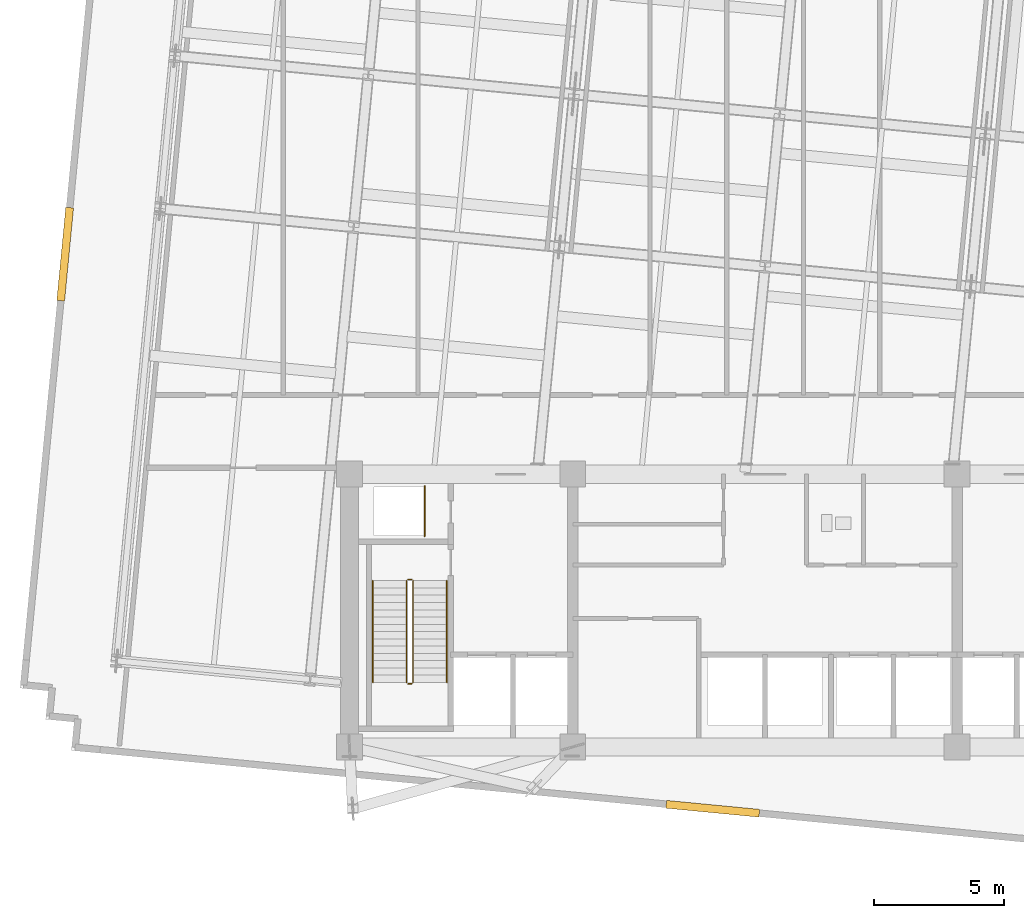
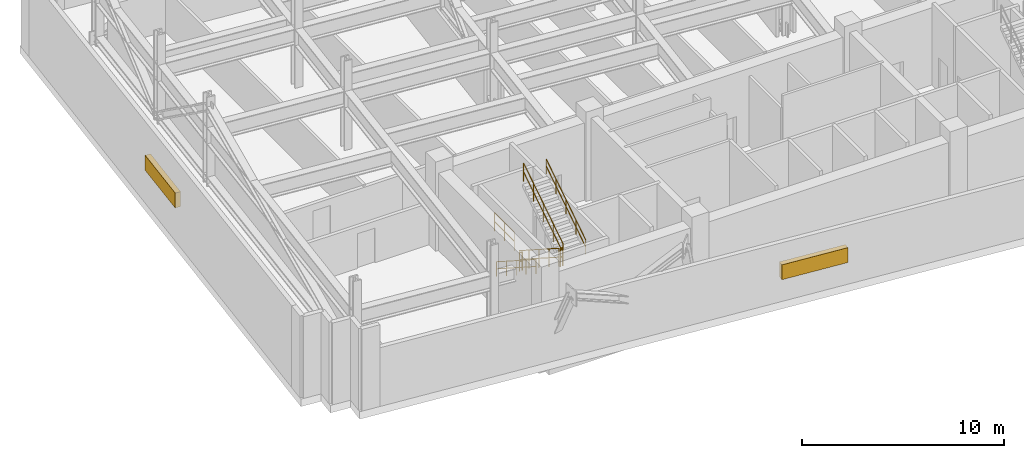
# One storey, part 8 of 10: 7 railings, 2 shading devices.
"""IFC4 building model written with IfcOpenShell, lengths in metres."""

from ifc_helpers import new_model, si_unit, direction, frame, origin, origin_2d, place, context, subcontext, project, spatial, rectangle, circle, extrude, material, layer, layer_set, type_object, element, save


model = new_model("IFC4")

# Units and contexts
model_context = context("Model", 3, precision=1e-05, world=origin(), true_north=direction((0.0, 1.0)))
body_context = subcontext(model_context, "Body", "Model", "MODEL_VIEW")
ifc_project = project(units=[si_unit("LENGTHUNIT", "METRE"), si_unit("AREAUNIT", "SQUARE_METRE"), si_unit("VOLUMEUNIT", "CUBIC_METRE"), si_unit("PLANEANGLEUNIT", "RADIAN"), si_unit("MASSUNIT", "GRAM", prefix="KILO")], contexts=[model_context])

# Site, building, storey
site_placement = place(None, origin())
site = spatial("IfcSite", under=ifc_project, at=site_placement, CompositionType="ELEMENT")
building_placement = place(site_placement, origin())
building = spatial("IfcBuilding", under=site, at=building_placement, Name="Solmavex Isthmus Hotel", CompositionType="ELEMENT")
storey_placement = place(building_placement, frame((0.0, 0.0, 186.300048828125)))
storey = spatial("IfcBuildingStorey", under=building, at=storey_placement, Name="L50", CompositionType="ELEMENT", Elevation=186.300048828125)

# Railings
ifc_material_1 = material(Name="Clear low-E laminated glass", Category="glass")
ifc_layer_1 = layer(ifc_material_1, 0.080078125)
ifc_layer_set_1 = layer_set([ifc_layer_1], Name="Clear low-E laminated glass")
railing_type_1 = type_object("IfcRailingType", Name="RAIL-ATRIUM-1120", PredefinedType="BALUSTRADE", material=ifc_layer_set_1)
railing_1_placement = place(storey_placement, frame((-13.10009765625, -4.89990234375, 0.0)))
element("IfcRailing", 1, at=railing_1_placement, inside=storey, type_object=railing_type_1, Name="Guardrail Balustrade L50-RSW-01", PredefinedType="BALUSTRADE", context=body_context, shape_type="SweptSolid", body=[
    extrude(circle(Radius=0.02392578125, at=origin_2d()), frame((0.0, 0.0, 1.1259765625), z_axis=(0.0, 1.0, 0.0), x_axis=(-1.0, 0.0, 0.0)), (0.0, 0.0, 1.0), 1.949951171875),
    extrude(circle(Radius=0.02392578125, at=origin_2d()), frame((0.0, 0.0, 0.574951171875), z_axis=(0.0, 1.0, 0.0), x_axis=(-1.0, 0.0, 0.0)), (0.0, 0.0, 1.0), 1.949951171875),
    extrude(circle(Radius=0.02099609375, at=origin_2d()), origin(), (0.0, 0.0, 1.0), 1.101806640625),
    extrude(circle(Radius=0.02099609375, at=origin_2d()), frame((0.0, 0.97509765625, 0.0)), (0.0, 0.0, 1.0), 1.101806640625),
    extrude(circle(Radius=0.02099609375, at=origin_2d()), frame((0.0, 1.949951171875, 0.0)), (0.0, 0.0, 1.0), 1.101806640625),
])
ifc_material_2 = material(Name="Stainless steel 316", Category="steel")
ifc_layer_2 = layer(ifc_material_2, 0.06005859375)
ifc_layer_set_2 = layer_set([ifc_layer_2], Name="Stainless steel 316")
railing_type_2 = type_object("IfcRailingType", Name="RAIL-STAIR-GD", PredefinedType="GUARDRAIL", material=ifc_layer_set_2)
railing_2_placement = place(storey_placement, frame((-13.800048828125, -6.60009765625, 0.179931640625)))
element("IfcRailing", 2, at=railing_2_placement, inside=storey, type_object=railing_type_2, Name="L50 ST-1 stair guard 1", PredefinedType="GUARDRAIL", context=body_context, shape_type="SweptSolid", body=[
    extrude(circle(Radius=0.02392578125, at=origin_2d()), frame((0.0, 0.0, 1.09619140625), z_axis=(0.0, -0.841171666519, 0.540768182723), x_axis=(1.0, 0.0, 0.0)), (0.0, 0.0, 1.0), 4.66015625),
    extrude(circle(Radius=0.02392578125, at=origin_2d()), frame((0.0, 0.0, 0.56005859375), z_axis=(0.0, -0.841171666519, 0.540768182723), x_axis=(1.0, 0.0, 0.0)), (0.0, 0.0, 1.0), 4.66015625),
    extrude(circle(Radius=0.02099609375, at=origin_2d()), origin(), (0.0, 0.0, 1.0), 1.072021484375),
    extrude(circle(Radius=0.02099609375, at=origin_2d()), frame((0.0, -0.97998046875, 0.6298828125)), (0.0, 0.0, 1.0), 1.072021484375),
    extrude(circle(Radius=0.02099609375, at=origin_2d()), frame((0.0, -1.9599609375, 1.260009765625)), (0.0, 0.0, 1.0), 1.072021484375),
    extrude(circle(Radius=0.02099609375, at=origin_2d()), frame((0.0, -2.93994140625, 1.89013671875)), (0.0, 0.0, 1.0), 1.072021484375),
    extrude(circle(Radius=0.02099609375, at=origin_2d()), frame((0.0, -3.919921875, 2.52001953125)), (0.0, 0.0, 1.0), 1.072021484375),
])
railing_3_placement = place(storey_placement, frame((-13.75, -10.570068359375, 2.699951171875)))
element("IfcRailing", 3, at=railing_3_placement, inside=storey, type_object=railing_type_2, Name="L50 ST-1 stair guard 2", PredefinedType="GUARDRAIL", context=body_context, shape_type="SweptSolid", body=[
    extrude(circle(Radius=0.02392578125, at=origin_2d()), frame((0.0, 0.0, 1.09619140625), z_axis=(1.0, 0.0, 0.0), x_axis=(0.0, 1.0, 0.0)), (0.0, 0.0, 1.0), 0.14990234375),
    extrude(circle(Radius=0.02392578125, at=origin_2d()), frame((0.0, 0.0, 0.56005859375), z_axis=(1.0, 0.0, 0.0), x_axis=(0.0, 1.0, 0.0)), (0.0, 0.0, 1.0), 0.14990234375),
    extrude(circle(Radius=0.02099609375, at=origin_2d()), origin(), (0.0, 0.0, 1.0), 1.072021484375),
    extrude(circle(Radius=0.02099609375, at=origin_2d()), frame((0.14990234375, 0.0, 0.0)), (0.0, 0.0, 1.0), 1.072021484375),
])
railing_4_placement = place(storey_placement, frame((-13.550048828125, -10.52001953125, 2.8798828125)))
element("IfcRailing", 4, at=railing_4_placement, inside=storey, type_object=railing_type_2, Name="L50 ST-1 stair guard 3", PredefinedType="GUARDRAIL", context=body_context, shape_type="SweptSolid", body=[
    extrude(circle(Radius=0.02392578125, at=origin_2d()), frame((0.0, 0.0, 1.09619140625), z_axis=(0.0, 0.841171666519, 0.540768182723), x_axis=(-1.0, 0.0, 0.0)), (0.0, 0.0, 1.0), 4.66015625),
    extrude(circle(Radius=0.02392578125, at=origin_2d()), frame((0.0, 0.0, 0.56005859375), z_axis=(0.0, 0.841171666519, 0.540768182723), x_axis=(-1.0, 0.0, 0.0)), (0.0, 0.0, 1.0), 4.66015625),
    extrude(circle(Radius=0.02099609375, at=origin_2d()), origin(), (0.0, 0.0, 1.0), 1.072021484375),
    extrude(circle(Radius=0.02099609375, at=origin_2d()), frame((0.0, 0.97998046875, 0.6298828125)), (0.0, 0.0, 1.0), 1.072021484375),
    extrude(circle(Radius=0.02099609375, at=origin_2d()), frame((0.0, 1.9599609375, 1.260009765625)), (0.0, 0.0, 1.0), 1.072021484375),
    extrude(circle(Radius=0.02099609375, at=origin_2d()), frame((0.0, 2.93994140625, 1.89013671875)), (0.0, 0.0, 1.0), 1.072021484375),
    extrude(circle(Radius=0.02099609375, at=origin_2d()), frame((0.0, 3.919921875, 2.52001953125)), (0.0, 0.0, 1.0), 1.072021484375),
])
railing_5_placement = place(storey_placement, frame((-13.75, -6.550048828125, 0.0)))
element("IfcRailing", 5, at=railing_5_placement, inside=storey, type_object=railing_type_2, Name="L50 ST-1 stair guard 4", PredefinedType="GUARDRAIL", context=body_context, shape_type="SweptSolid", body=[
    extrude(circle(Radius=0.02392578125, at=origin_2d()), frame((0.0, 0.0, 1.09619140625), z_axis=(1.0, 0.0, 0.0), x_axis=(0.0, 1.0, 0.0)), (0.0, 0.0, 1.0), 0.14990234375),
    extrude(circle(Radius=0.02392578125, at=origin_2d()), frame((0.0, 0.0, 0.56005859375), z_axis=(1.0, 0.0, 0.0), x_axis=(0.0, 1.0, 0.0)), (0.0, 0.0, 1.0), 0.14990234375),
    extrude(circle(Radius=0.02099609375, at=origin_2d()), origin(), (0.0, 0.0, 1.0), 1.072021484375),
    extrude(circle(Radius=0.02099609375, at=origin_2d()), frame((0.14990234375, 0.0, 0.0)), (0.0, 0.0, 1.0), 1.072021484375),
])
ifc_layer_3 = layer(ifc_material_2, 0.050048828125)
ifc_layer_set_3 = layer_set([ifc_layer_3], Name="Stainless steel 316")
railing_type_3 = type_object("IfcRailingType", Name="RAIL-STAIR-HR", PredefinedType="HANDRAIL", material=ifc_layer_set_3)
railing_6_placement = place(storey_placement, frame((-15.10009765625, -6.60009765625, 0.179931640625)))
element("IfcRailing", 6, at=railing_6_placement, inside=storey, type_object=railing_type_3, Name="L50 ST-1 stair handrail 1", PredefinedType="HANDRAIL", context=body_context, shape_type="SweptSolid", body=[
    extrude(circle(Radius=0.02392578125, at=origin_2d()), frame((0.0, 0.0, 0.8759765625), z_axis=(0.0, -0.841171666519, 0.540768182723), x_axis=(1.0, 0.0, 0.0)), (0.0, 0.0, 1.0), 4.66015625),
    extrude(circle(Radius=0.02392578125, at=origin_2d()), frame((0.0, 0.0, 0.449951171875), z_axis=(0.0, -0.841171666519, 0.540768182723), x_axis=(1.0, 0.0, 0.0)), (0.0, 0.0, 1.0), 4.66015625),
    extrude(circle(Radius=0.02099609375, at=origin_2d()), origin(), (0.0, 0.0, 1.0), 0.851806640625),
    extrude(circle(Radius=0.02099609375, at=origin_2d()), frame((0.0, -0.97998046875, 0.6298828125)), (0.0, 0.0, 1.0), 0.851806640625),
    extrude(circle(Radius=0.02099609375, at=origin_2d()), frame((0.0, -1.9599609375, 1.260009765625)), (0.0, 0.0, 1.0), 0.851806640625),
    extrude(circle(Radius=0.02099609375, at=origin_2d()), frame((0.0, -2.93994140625, 1.89013671875)), (0.0, 0.0, 1.0), 0.851806640625),
    extrude(circle(Radius=0.02099609375, at=origin_2d()), frame((0.0, -3.919921875, 2.52001953125)), (0.0, 0.0, 1.0), 0.851806640625),
])
railing_7_placement = place(storey_placement, frame((-12.25, -10.52001953125, 2.8798828125)))
element("IfcRailing", 7, at=railing_7_placement, inside=storey, type_object=railing_type_3, Name="L50 ST-1 stair handrail 2", PredefinedType="HANDRAIL", context=body_context, shape_type="SweptSolid", body=[
    extrude(circle(Radius=0.02392578125, at=origin_2d()), frame((0.0, 0.0, 0.8759765625), z_axis=(0.0, 0.841171666519, 0.540768182723), x_axis=(-1.0, 0.0, 0.0)), (0.0, 0.0, 1.0), 4.66015625),
    extrude(circle(Radius=0.02392578125, at=origin_2d()), frame((0.0, 0.0, 0.449951171875), z_axis=(0.0, 0.841171666519, 0.540768182723), x_axis=(-1.0, 0.0, 0.0)), (0.0, 0.0, 1.0), 4.66015625),
    extrude(circle(Radius=0.02099609375, at=origin_2d()), origin(), (0.0, 0.0, 1.0), 0.851806640625),
    extrude(circle(Radius=0.02099609375, at=origin_2d()), frame((0.0, 0.97998046875, 0.6298828125)), (0.0, 0.0, 1.0), 0.851806640625),
    extrude(circle(Radius=0.02099609375, at=origin_2d()), frame((0.0, 1.9599609375, 1.260009765625)), (0.0, 0.0, 1.0), 0.851806640625),
    extrude(circle(Radius=0.02099609375, at=origin_2d()), frame((0.0, 2.93994140625, 1.89013671875)), (0.0, 0.0, 1.0), 0.851806640625),
    extrude(circle(Radius=0.02099609375, at=origin_2d()), frame((0.0, 3.919921875, 2.52001953125)), (0.0, 0.0, 1.0), 0.851806640625),
])

# Shading devices
ifc_material_3 = material(Name="Aluminium alloy 6063-T6", Category="aluminium")
shading_device_type = type_object("IfcShadingDeviceType", Name="SHD-LOUVRE-BOX", PredefinedType="JALOUSIE", material=ifc_material_3)
for number, where, z_axis, x_axis, name in (
    (8, (-26.9462890625, 5.975341796875, 2.02490234375), (0.0, 0.0, 1.0), (0.09584575252, 0.995396198367, 0.0), "Acoustic Intake Louvre Screen L50-07"),
    (9, (-2.008544921875, -15.383056640625, 1.327392578125), (0.0, 0.0, 1.0), (-0.995396198367, 0.09584575252, 0.0), "Acoustic Intake Louvre Screen L50-28"),
):
    element("IfcShadingDevice", number, at=place(storey_placement, frame(where, z_axis=z_axis, x_axis=x_axis)), inside=storey, type_object=shading_device_type, Name=name, PredefinedType="JALOUSIE", context=body_context, shape_type="SweptSolid", body=[
        extrude(rectangle(XDim=3.60009765625, YDim=0.300048828125, at=origin_2d()), origin(), (0.0, 0.0, 1.0), 0.89990234375),
    ])

save(model, "model.ifc")
